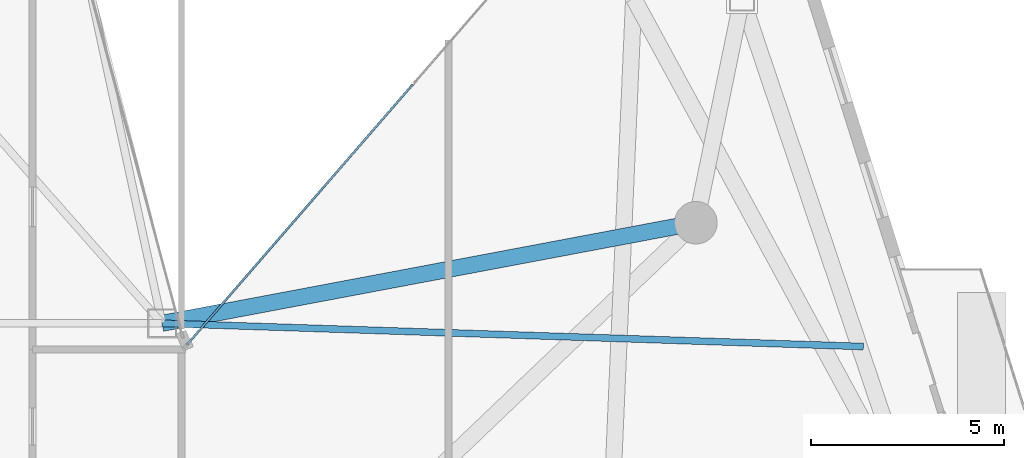
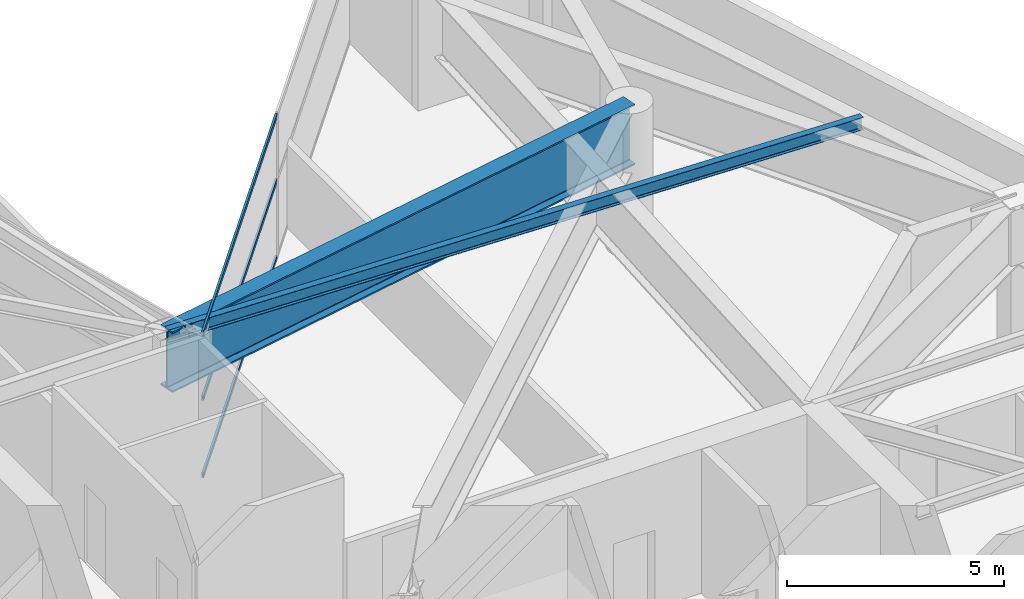
# One storey, part 12 of 29: 3 members, 2 beams, 1 element without a shape of its own.
"""IFC4 building model written with IfcOpenShell, lengths in metres."""

import ifcopenshell
import ifcopenshell.guid

model = None  # the IFC model being written
_history = None  # IfcOwnerHistory: only IFC2X3 demands one
_inside = {}  # id of a spatial element -> (the spatial element, [elements in it])
_under = {}  # id of a project, library or spatial element -> (it, [spatial elements below it])
_declared = {}  # id of a project -> (the project, [libraries it declares])
_typed = {}  # id of a type object -> (the type object, [elements of that type])
_made_of = {}  # id of a material, layer set ... -> (it, [elements and type objects made of it])


def new_model(schema):
    """Start an empty IFC model of exactly this schema.

    Asked for "IFC4X3", IfcOpenShell would pick the latest addendum, in which some entities
    have other attributes; the version numbers below select the first issue.
    IFC2X3 requires an IfcOwnerHistory on every rooted entity: one is made here for all.
    """
    global model, _history
    if schema == "IFC4X3":
        model = ifcopenshell.file(schema_version=(4, 3, 0, 0))
    else:
        model = ifcopenshell.file(schema=schema)
    _inside.clear()
    _under.clear()
    _declared.clear()
    _typed.clear()
    _made_of.clear()
    _history = None
    if model.schema == "IFC2X3":
        org = make("IfcOrganization", Name="unknown")
        user = make(
            "IfcPersonAndOrganization",
            ThePerson=make("IfcPerson", FamilyName="unknown"),
            TheOrganization=org,
        )
        app = make(
            "IfcApplication",
            ApplicationDeveloper=org,
            Version="unknown",
            ApplicationFullName="unknown",
            ApplicationIdentifier="unknown",
        )
        _history = make(
            "IfcOwnerHistory",
            OwningUser=user,
            OwningApplication=app,
            ChangeAction="ADDED",
            CreationDate=0,
        )
    return model


def make(cls, **values):
    """One entity of the class cls with the attributes given. An attribute that is None is left unset."""
    return model.create_entity(
        cls, **{name: value for name, value in values.items() if value is not None}
    )


def rooted(cls, **values):
    """An entity with a GlobalId (a new one), such as an element, a storey or a relation."""
    return make(cls, GlobalId=ifcopenshell.guid.new(), OwnerHistory=_history, **values)


def si_unit(unit_type, name, prefix=None):
    """IfcSIUnit, for example si_unit("LENGTHUNIT", "METRE", prefix="MILLI")."""
    return make("IfcSIUnit", UnitType=unit_type, Prefix=prefix, Name=name)


def assignment(units):
    """IfcUnitAssignment: the units of a project."""
    return None if units is None else make("IfcUnitAssignment", Units=units)


def point(xyz):
    """IfcCartesianPoint."""
    return None if xyz is None else make("IfcCartesianPoint", Coordinates=xyz)


def direction(xyz):
    """IfcDirection."""
    return None if xyz is None else make("IfcDirection", DirectionRatios=xyz)


def frame(location, z_axis=None, x_axis=None):
    """IfcAxis2Placement3D, a coordinate frame: its origin and axes. An axis left out is left unset."""
    return make(
        "IfcAxis2Placement3D",
        Location=point(location),
        Axis=direction(z_axis),
        RefDirection=direction(x_axis),
    )


def frame_2d(location, x_axis=None):
    """IfcAxis2Placement2D, a coordinate frame in the plane: its origin and x axis."""
    return make(
        "IfcAxis2Placement2D", Location=point(location), RefDirection=direction(x_axis)
    )


def origin():
    """The frame at (0, 0, 0) with its axes left unset."""
    return frame((0.0, 0.0, 0.0))


def origin_2d():
    """The frame at (0, 0) in the plane with its x axis left unset."""
    return frame_2d((0.0, 0.0))


def place(relative_to, where):
    """IfcLocalPlacement: puts the frame where relative to a parent placement (None: the world)."""
    return make(
        "IfcLocalPlacement", PlacementRelTo=relative_to, RelativePlacement=where
    )


def context(
    kind, dimensions, precision=None, world=None, true_north=None, identifier=None
):
    """IfcGeometricRepresentationContext, for example the 3D "Model" context."""
    return make(
        "IfcGeometricRepresentationContext",
        ContextIdentifier=identifier,
        ContextType=kind,
        CoordinateSpaceDimension=dimensions,
        Precision=precision,
        WorldCoordinateSystem=world,
        TrueNorth=true_north,
    )


def subcontext(parent, identifier, kind, view, scale=None):
    """IfcGeometricRepresentationSubContext, for example "Body" below "Model"."""
    return make(
        "IfcGeometricRepresentationSubContext",
        ContextIdentifier=identifier,
        ContextType=kind,
        ParentContext=parent,
        TargetScale=scale,
        TargetView=view,
    )


def project(units=None, contexts=None):
    """IfcProject with its units and contexts."""
    return rooted(
        "IfcProject",
        Name="project",
        RepresentationContexts=contexts,
        UnitsInContext=assignment(units),
    )


def spatial(cls, under=None, at=None, **own):
    """A site, building, storey or space (cls), placed at a placement, below another one or the project."""
    s = rooted(cls, ObjectPlacement=at, **own)
    if under is not None:
        _under.setdefault(under.id(), (under, []))[1].append(s)
    return s


def profile(cls, at=None, kind="AREA", **sizes):
    """A parametric profile (cls). Its sizes go by their IFC names, for example OverallWidth=200.0."""
    return make(cls, ProfileType=kind, Position=at, **sizes)


def hollow_rectangle(**sizes):
    """IfcRectangleHollowProfileDef."""
    return profile("IfcRectangleHollowProfileDef", **sizes)


def i_section(**sizes):
    """IfcIShapeProfileDef."""
    return profile("IfcIShapeProfileDef", **sizes)


def extrude(swept, where, along, depth):
    """IfcExtrudedAreaSolid: the profile swept, set in the frame where, extruded along a direction by depth."""
    return make(
        "IfcExtrudedAreaSolid",
        SweptArea=swept,
        Position=where,
        ExtrudedDirection=direction(along),
        Depth=depth,
    )


def shape(context_of_items, identifier, shape_type, items):
    """IfcShapeRepresentation: the items that make up one representation, for example the "Body"."""
    return make(
        "IfcShapeRepresentation",
        ContextOfItems=context_of_items,
        RepresentationIdentifier=identifier,
        RepresentationType=shape_type,
        Items=items,
    )


def material(Name=None, Category=None):
    """IfcMaterial."""
    return make("IfcMaterial", Name=Name, Category=Category)


def layer(
    of_material, thickness, ventilated=None, Name=None, Category=None, Priority=None
):
    """IfcMaterialLayer: one layer of a wall or slab, of a material (None: an air gap)."""
    return make(
        "IfcMaterialLayer",
        Material=of_material,
        LayerThickness=thickness,
        IsVentilated=ventilated,
        Name=Name,
        Category=Category,
        Priority=Priority,
    )


def layer_set(layers, Name=None):
    """IfcMaterialLayerSet."""
    return make("IfcMaterialLayerSet", MaterialLayers=layers, LayerSetName=Name)


def material_profile(
    of_material, cross_section, Name=None, Category=None, Priority=None
):
    """IfcMaterialProfile: a cross section and its material."""
    return make(
        "IfcMaterialProfile",
        Name=Name,
        Material=of_material,
        Profile=cross_section,
        Priority=Priority,
        Category=Category,
    )


def profile_set(profiles, Name=None, composite=None):
    """IfcMaterialProfileSet."""
    return make(
        "IfcMaterialProfileSet",
        Name=Name,
        MaterialProfiles=profiles,
        CompositeProfile=composite,
    )


def made_of(thing, what):
    """Note that an element or type object is made of a material, layer set ...; save() writes the relation."""
    if what is not None:
        _made_of.setdefault(what.id(), (what, []))[1].append(thing)
    return thing


def type_object(cls, material=None, **own):
    """A type object (cls), such as IfcWallType, which elements share."""
    return made_of(rooted(cls, **own), material)


def element(
    cls,
    number,
    at=None,
    inside=None,
    cuts=None,
    type_object=None,
    material=None,
    context=None,
    identifier="Body",
    shape_type=None,
    held_by="IfcProductDefinitionShape",
    body=None,
    shapes=None,
    **own,
):
    """One element of the class cls, such as IfcWall. Its Tag is "e" and its number.

    at: its placement. inside: the storey or other place that contains it. cuts: it is an
    opening in that element (IfcRelVoidsElement). A single representation is given by context,
    identifier, shape_type and body (its items); several are given by shapes. held_by: the class
    of the entity that holds the representations. save() writes the other relations.
    """
    e = rooted(cls, Tag="e%d" % number, ObjectPlacement=at, **own)
    if body is not None:
        shapes = [shape(context, identifier, shape_type, body)]
    if shapes is not None:
        e.Representation = make(held_by, Representations=shapes)
    if inside is not None:
        _inside.setdefault(inside.id(), (inside, []))[1].append(e)
    if cuts is not None:
        rooted(
            "IfcRelVoidsElement", RelatingBuildingElement=cuts, RelatedOpeningElement=e
        )
    if type_object is not None:
        _typed.setdefault(type_object.id(), (type_object, []))[1].append(e)
    return made_of(e, material)


def aggregate(whole, parts):
    """IfcRelAggregates: a whole, such as a stair, and the parts it consists of."""
    return rooted("IfcRelAggregates", RelatingObject=whole, RelatedObjects=parts)


def save(model, path):
    """Write the relations noted so far, then the file.

    IfcRelAggregates (storeys below a building ...), IfcRelContainedInSpatialStructure (elements
    in a storey), IfcRelDefinesByType, IfcRelAssociatesMaterial and IfcRelDeclares: one each for
    every whole, place, type object, material and project.
    """
    for whole, parts in _under.values():
        aggregate(whole, parts)
    for where, things in _inside.values():
        rooted(
            "IfcRelContainedInSpatialStructure",
            RelatedElements=things,
            RelatingStructure=where,
        )
    for kind, things in _typed.values():
        rooted("IfcRelDefinesByType", RelatedObjects=things, RelatingType=kind)
    for what, things in _made_of.values():
        rooted("IfcRelAssociatesMaterial", RelatedObjects=things, RelatingMaterial=what)
    for by, libraries in _declared.values():
        rooted("IfcRelDeclares", RelatingContext=by, RelatedDefinitions=libraries)
    model.write(path)


model = new_model("IFC4")

# Units and contexts
model_context = context("Model", 3, precision=1e-05, world=origin(), true_north=direction((0.0, 1.0)))
body_context = subcontext(model_context, "Body", "Model", "MODEL_VIEW")
ifc_project = project(units=[si_unit("LENGTHUNIT", "METRE"), si_unit("AREAUNIT", "SQUARE_METRE"), si_unit("VOLUMEUNIT", "CUBIC_METRE"), si_unit("PLANEANGLEUNIT", "RADIAN"), si_unit("MASSUNIT", "GRAM", prefix="KILO")], contexts=[model_context])

# Site, building, storey
site_placement = place(None, origin())
site = spatial("IfcSite", under=ifc_project, at=site_placement, CompositionType="ELEMENT")
building_placement = place(site_placement, origin())
building = spatial("IfcBuilding", under=site, at=building_placement, Name="Calvorn Quay Hotel", CompositionType="ELEMENT")
storey_placement = place(building_placement, frame((0.0, 0.0, 259.0)))
storey = spatial("IfcBuildingStorey", under=building, at=storey_placement, Name="L64", CompositionType="ELEMENT", Elevation=259.0)

# Beams
ifc_material_1 = material(Name="Steel Q355B", Category="steel")
ifc_material_profile_1 = material_profile(ifc_material_1, i_section(OverallWidth=0.175048828125, OverallDepth=0.35009765625, WebThickness=0.007080078125, FlangeThickness=0.010986328125, FilletRadius=0.013916015625, at=origin_2d()), Name="HN350x175x7x11")
ifc_profile_set_1 = profile_set([ifc_material_profile_1], Name="Steel Q355B")
beam_type_1 = type_object("IfcBeamType", Name="BM-JOIST-SEC", PredefinedType="JOIST", material=ifc_profile_set_1)
beam_1_placement = place(storey_placement, frame((21.0, 25.0, 3.875), z_axis=(0.999452470599, -0.033087142721, 0.0), x_axis=(0.033087142721, 0.999452470599, 0.0)))
element("IfcBeam", 1, at=beam_1_placement, inside=storey, type_object=beam_type_1, Name="Beam BJ-L64-E3", PredefinedType="JOIST", context=body_context, shape_type="SweptSolid", body=[
    extrude(i_section(OverallWidth=0.175048828125, OverallDepth=0.35009765625, WebThickness=0.007080078125, FlangeThickness=0.010986328125, FilletRadius=0.013916015625, at=origin_2d()), origin(), (0.0, 0.0, 1.0), 18.136962890625),
])
ifc_material_2 = material(Name="Steel Q420GJC", Category="steel")
ifc_material_profile_2 = material_profile(ifc_material_2, i_section(OverallWidth=0.419921875, OverallDepth=1.699951171875, WebThickness=0.02392578125, FlangeThickness=0.0419921875, FilletRadius=0.02392578125, at=origin_2d()), Name="HN1700x420x24x42")
ifc_profile_set_2 = profile_set([ifc_material_profile_2], Name="Steel Q420GJC")
beam_type_2 = type_object("IfcBeamType", Name="BM-XFER-SAWTOOTH", PredefinedType="BEAM", material=ifc_profile_set_2)
beam_2_placement = place(storey_placement, frame((34.800048828125, 27.60009765625, 3.199951171875), z_axis=(-0.982709432406, -0.185154452988, 0.0), x_axis=(0.185154452988, -0.982709432406, 0.0)))
element("IfcBeam", 2, at=beam_2_placement, inside=storey, type_object=beam_type_2, Name="Beam BSP-L64-E4", PredefinedType="BEAM", context=body_context, shape_type="SweptSolid", body=[
    extrude(i_section(OverallWidth=0.419921875, OverallDepth=1.699951171875, WebThickness=0.02392578125, FlangeThickness=0.0419921875, FilletRadius=0.02392578125, at=origin_2d()), origin(), (0.0, 0.0, 1.0), 14.04296875),
])

# Curtain wall, members
ifc_material_3 = material(Name="Champagne Bronze Anodised Aluminium and Low-E Glass", Category="aluminium")
ifc_layer = layer(ifc_material_3, 0.219970703125)
ifc_layer_set = layer_set([ifc_layer], Name="CW-SYS-Z4")
curtain_wall_type = type_object("IfcCurtainWallType", Name="CW-SYS-Z4", PredefinedType="NOTDEFINED", material=ifc_layer_set)
curtain_wall_placement = place(storey_placement, origin())
curtain_wall = element("IfcCurtainWall", 3, at=curtain_wall_placement, inside=storey, type_object=curtain_wall_type, Name="Inner Court Curtain Wall L64-NE1", PredefinedType="NOTDEFINED")
ifc_material_4 = material(Name="Champagne Bronze Anodised Aluminium 6063-T6", Category="aluminium")
ifc_material_profile_3 = material_profile(ifc_material_4, hollow_rectangle(XDim=0.054931640625, YDim=0.1298828125, WallThickness=0.003173828125, at=origin_2d()), Name="ALU-T130x55x3.2")
ifc_profile_set_3 = profile_set([ifc_material_profile_3], Name="Champagne Bronze Anodised Aluminium 6063-T6")
member_type = type_object("IfcMemberType", Name="CW-SYS-Z4-TRN", PredefinedType="USERDEFINED", material=ifc_profile_set_3)
member_1_placement = place(storey_placement, frame((27.480224609375, 31.17724609375, 0.030029296875), z_axis=(-0.65534550322, -0.755329247024, 0.0), x_axis=(0.755329247024, -0.65534550322, 0.0)))
member_1 = element("IfcMember", 4, at=member_1_placement, type_object=member_type, Name="CW-L64-NE1 transom 2.1", ObjectType="TRANSOM", PredefinedType="USERDEFINED", context=body_context, shape_type="SweptSolid", body=[
    extrude(hollow_rectangle(XDim=0.054931640625, YDim=0.1298828125, WallThickness=0.003173828125, at=origin_2d()), origin(), (0.0, 0.0, 1.0), 8.91259765625),
])
member_2_placement = place(storey_placement, frame((27.480224609375, 31.17724609375, 2.199951171875), z_axis=(-0.65534550322, -0.755329247024, 0.0), x_axis=(0.755329247024, -0.65534550322, 0.0)))
member_2 = element("IfcMember", 5, at=member_2_placement, type_object=member_type, Name="CW-L64-NE1 transom 2.2", ObjectType="TRANSOM", PredefinedType="USERDEFINED", context=body_context, shape_type="SweptSolid", body=[
    extrude(hollow_rectangle(XDim=0.054931640625, YDim=0.1298828125, WallThickness=0.003173828125, at=origin_2d()), origin(), (0.0, 0.0, 1.0), 8.91259765625),
])
member_3_placement = place(storey_placement, frame((27.480224609375, 31.17724609375, 4.02001953125), z_axis=(-0.65534550322, -0.755329247024, 0.0), x_axis=(0.755329247024, -0.65534550322, 0.0)))
member_3 = element("IfcMember", 6, at=member_3_placement, type_object=member_type, Name="CW-L64-NE1 transom 2.3", ObjectType="TRANSOM", PredefinedType="USERDEFINED", context=body_context, shape_type="SweptSolid", body=[
    extrude(hollow_rectangle(XDim=0.054931640625, YDim=0.1298828125, WallThickness=0.003173828125, at=origin_2d()), origin(), (0.0, 0.0, 1.0), 8.91259765625),
])
aggregate(curtain_wall, [member_1, member_2, member_3])

save(model, "model.ifc")
